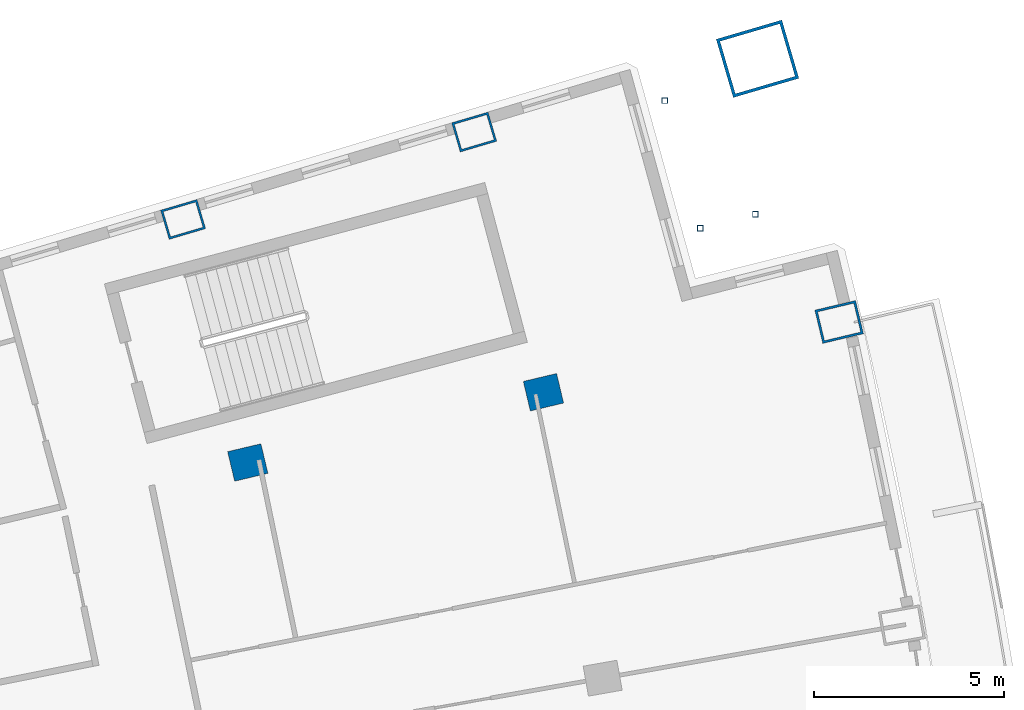
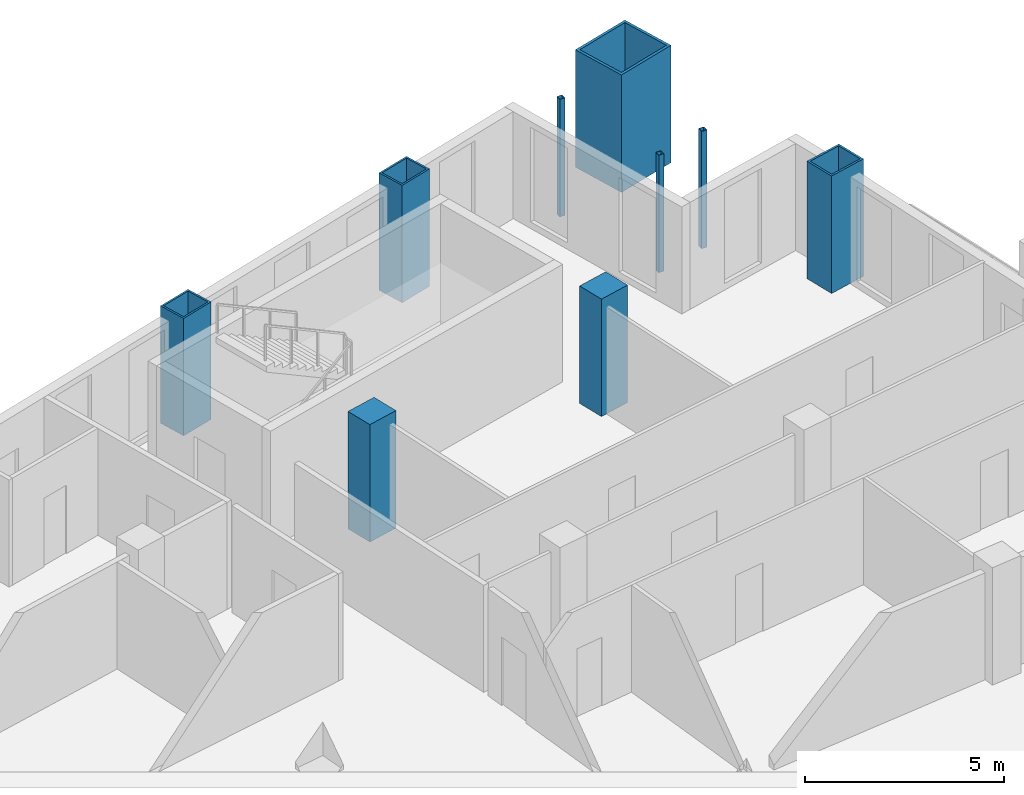
# One storey, part 8 of 20: 9 columns.
"""IFC4 building model written with IfcOpenShell, lengths in metres."""

from ifc_helpers import new_model, si_unit, direction, frame, origin, origin_2d, place, context, subcontext, project, spatial, rectangle, hollow_rectangle, extrude, material, material_profile, profile_set, type_object, element, save


model = new_model("IFC4")

# Units and contexts
model_context = context("Model", 3, precision=1e-05, world=origin(), true_north=direction((0.0, 1.0)))
body_context = subcontext(model_context, "Body", "Model", "MODEL_VIEW")
ifc_project = project(units=[si_unit("LENGTHUNIT", "METRE"), si_unit("AREAUNIT", "SQUARE_METRE"), si_unit("VOLUMEUNIT", "CUBIC_METRE"), si_unit("PLANEANGLEUNIT", "RADIAN"), si_unit("MASSUNIT", "GRAM", prefix="KILO")], contexts=[model_context])

# Site, building, storey
site_placement = place(None, origin())
site = spatial("IfcSite", under=ifc_project, at=site_placement, CompositionType="ELEMENT")
building_placement = place(site_placement, origin())
building = spatial("IfcBuilding", under=site, at=building_placement, Name="Alderwake Tower", CompositionType="ELEMENT")
storey_placement = place(building_placement, frame((0.0, 0.0, 153.199951171875)))
storey = spatial("IfcBuildingStorey", under=building, at=storey_placement, Name="L37", CompositionType="ELEMENT", Elevation=153.199951171875)

# Columns
ifc_material_1 = material(Name="Steel ASTM A572 Grade 50 concrete filled C70/85", Category="concrete")
ifc_material_profile_1 = material_profile(ifc_material_1, hollow_rectangle(XDim=0.800048828125, YDim=1.0, WallThickness=0.054931640625, at=origin_2d()), Name="BOX 1000X800X55")
ifc_profile_set_1 = profile_set([ifc_material_profile_1], Name="Steel ASTM A572 Grade 50 concrete filled C70/85")
column_type_1 = type_object("IfcColumnType", Name="End column Z3", PredefinedType="COLUMN", material=ifc_profile_set_1)
for number, where, z_axis, x_axis, name in (
    (1, (38.74267578125, 96.0234375, 0.0), (0.0, 0.0, 1.0), (-0.282903979359, 0.959148235917, 0.0), "Column R12-C3"),
    (2, (46.40478515625, 98.323974609375, 0.0), (0.0, 0.0, 1.0), (-0.283185204145, 0.959065242908, 0.0), "Column R12-C4"),
):
    element("IfcColumn", number, at=place(storey_placement, frame(where, z_axis=z_axis, x_axis=x_axis)), inside=storey, type_object=column_type_1, Name=name, PredefinedType="COLUMN", context=body_context, shape_type="SweptSolid", body=[
        extrude(hollow_rectangle(XDim=0.800048828125, YDim=1.0, WallThickness=0.054931640625, at=origin_2d()), origin(), (0.0, 0.0, 1.0), 3.60009765625),
    ])
ifc_material_2 = material(Name="Concrete C70/85", Category="concrete")
ifc_material_profile_2 = material_profile(ifc_material_2, rectangle(XDim=0.800048828125, YDim=0.89990234375, at=origin_2d()), Name="RC 900X800")
ifc_profile_set_2 = profile_set([ifc_material_profile_2], Name="Concrete C70/85")
column_type_2 = type_object("IfcColumnType", Name="Interior column Z3", PredefinedType="COLUMN", material=ifc_profile_set_2)
for number, where, z_axis, x_axis, name in (
    (3, (40.4453125, 89.625244140625, 0.0), (0.0, 0.0, 1.0), (-0.231221547198, 0.972901123502, 0.0), "Column R11-C3"),
    (4, (48.228515625, 91.47509765625, 0.0), (0.0, 0.0, 1.0), (-0.231221547198, 0.972901123502, 0.0), "Column R11-C4"),
):
    element("IfcColumn", number, at=place(storey_placement, frame(where, z_axis=z_axis, x_axis=x_axis)), inside=storey, type_object=column_type_2, Name=name, PredefinedType="COLUMN", context=body_context, shape_type="SweptSolid", body=[
        extrude(rectangle(XDim=0.800048828125, YDim=0.89990234375, at=origin_2d()), origin(), (0.0, 0.0, 1.0), 3.60009765625),
    ])
ifc_material_3 = material(Name="Steel ASTM A500 Grade C", Category="steel")
ifc_material_profile_3 = material_profile(ifc_material_3, hollow_rectangle(XDim=0.15234375, YDim=0.15234375, WallThickness=0.0087890625, at=origin_2d()), Name="HSS6X6X3/8")
ifc_profile_set_3 = profile_set([ifc_material_profile_3], Name="Steel ASTM A500 Grade C")
column_type_3 = type_object("IfcColumnType", Name="Light post HSS6X6X3/8", PredefinedType="COLUMN", material=ifc_profile_set_3)
for number, where, z_axis, x_axis, name in (
    (5, (53.807861328125, 96.159423828125, 0.0), (0.0, 0.0, 1.0), (1.0, 0.0, 0.0), "Terrace post FN1"),
    (6, (51.42431640625, 99.152099609375, 0.0), (0.0, 0.0, 1.0), (1.0, 0.0, 0.0), "Terrace post FN2"),
    (7, (52.353759765625, 95.791259765625, 0.0), (0.0, 0.0, 1.0), (1.0, 0.0, 0.0), "Terrace post FN3"),
):
    element("IfcColumn", number, at=place(storey_placement, frame(where, z_axis=z_axis, x_axis=x_axis)), inside=storey, type_object=column_type_3, Name=name, PredefinedType="COLUMN", context=body_context, shape_type="SweptSolid", body=[
        extrude(hollow_rectangle(XDim=0.15234375, YDim=0.15234375, WallThickness=0.0087890625, at=origin_2d()), origin(), (0.0, 0.0, 1.0), 3.60009765625),
    ])
ifc_material_4 = material(Name="Steel ASTM A572 Grade 50 concrete filled C70/85", Category="concrete")
ifc_material_profile_4 = material_profile(ifc_material_4, hollow_rectangle(XDim=1.60009765625, YDim=1.800048828125, WallThickness=0.080078125, at=origin_2d()), Name="BOX 1800X1600X80")
ifc_profile_set_4 = profile_set([ifc_material_profile_4], Name="Steel ASTM A572 Grade 50 concrete filled C70/85")
column_type_4 = type_object("IfcColumnType", Name="Mega column Z3", PredefinedType="COLUMN", material=ifc_profile_set_4)
column_1_placement = place(storey_placement, frame((53.86376953125, 100.252197265625, 0.0), z_axis=(0.0, 0.0, 1.0), x_axis=(-0.281376906736, 0.959597330319, 0.0)))
element("IfcColumn", 8, at=column_1_placement, inside=storey, type_object=column_type_4, Name="Column R12-C5", PredefinedType="COLUMN", context=body_context, shape_type="SweptSolid", body=[
    extrude(hollow_rectangle(XDim=1.60009765625, YDim=1.800048828125, WallThickness=0.080078125, at=origin_2d()), origin(), (0.0, 0.0, 1.0), 3.60009765625),
])
ifc_material_5 = material(Name="Steel ASTM A572 Grade 50 concrete filled C70/85", Category="concrete")
ifc_material_profile_5 = material_profile(ifc_material_5, hollow_rectangle(XDim=0.89990234375, YDim=1.10009765625, WallThickness=0.06005859375, at=origin_2d()), Name="BOX 1100X900X60")
ifc_profile_set_5 = profile_set([ifc_material_profile_5], Name="Steel ASTM A572 Grade 50 concrete filled C70/85")
column_type_5 = type_object("IfcColumnType", Name="Perimeter column Z3", PredefinedType="COLUMN", material=ifc_profile_set_5)
column_2_placement = place(storey_placement, frame((56.01171875, 93.32470703125, 0.0), z_axis=(0.0, 0.0, 1.0), x_axis=(-0.231221547198, 0.972901123502, 0.0)))
element("IfcColumn", 9, at=column_2_placement, inside=storey, type_object=column_type_5, Name="Column R11-C5", PredefinedType="COLUMN", context=body_context, shape_type="SweptSolid", body=[
    extrude(hollow_rectangle(XDim=0.89990234375, YDim=1.10009765625, WallThickness=0.06005859375, at=origin_2d()), origin(), (0.0, 0.0, 1.0), 3.60009765625),
])

save(model, "model.ifc")
